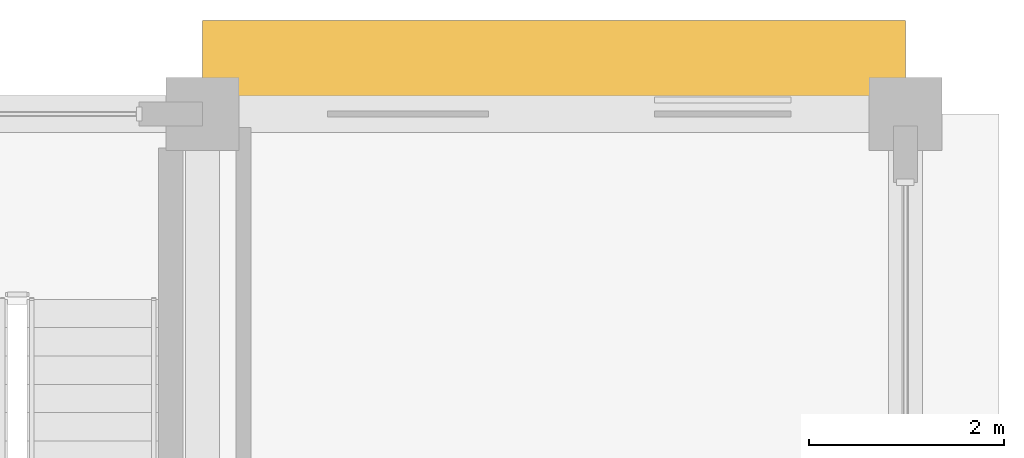
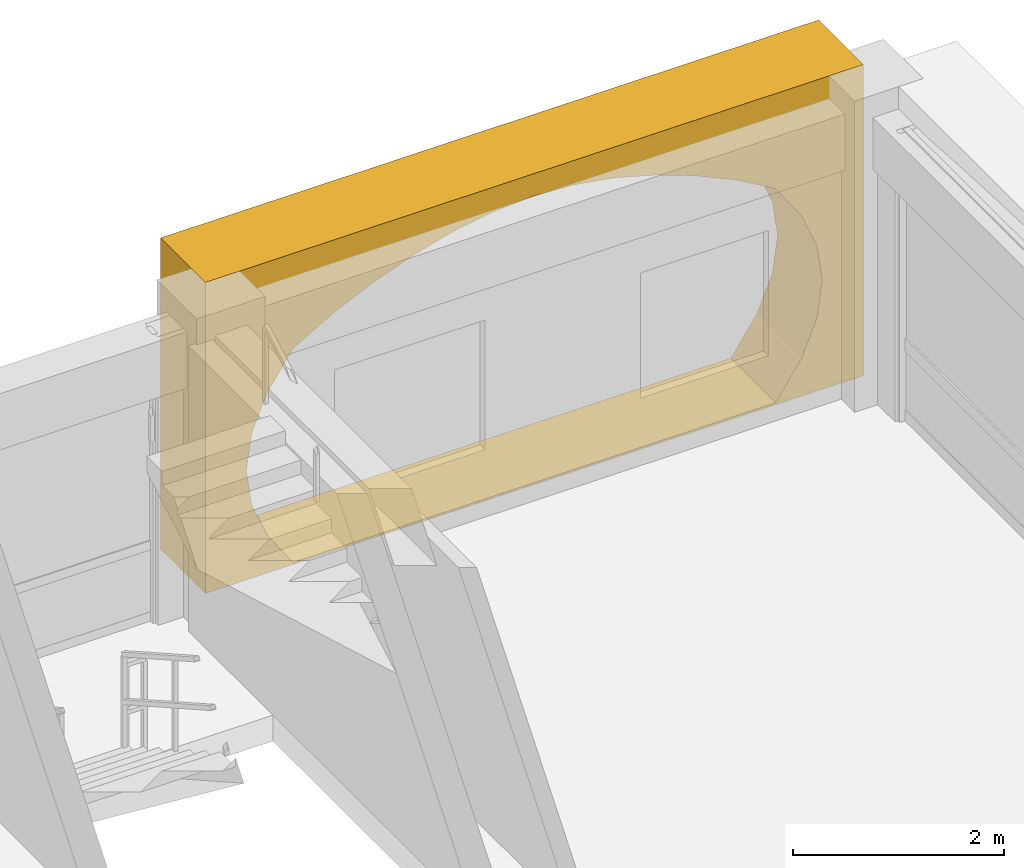
# One storey, part 88 of 88: 1 covering.
"""IFC4 building model written with IfcOpenShell, lengths in metres."""

from ifc_helpers import new_model, si_unit, direction, frame, origin, place, context, subcontext, project, spatial, polyline, outline, extrude, material, layer, layer_set, type_object, element, save


model = new_model("IFC4")

# Units and contexts
model_context = context("Model", 3, precision=1e-05, world=origin(), true_north=direction((0.0, 1.0)))
body_context = subcontext(model_context, "Body", "Model", "MODEL_VIEW")
ifc_project = project(units=[si_unit("LENGTHUNIT", "METRE"), si_unit("AREAUNIT", "SQUARE_METRE"), si_unit("VOLUMEUNIT", "CUBIC_METRE"), si_unit("PLANEANGLEUNIT", "RADIAN"), si_unit("MASSUNIT", "GRAM", prefix="KILO"), si_unit("THERMODYNAMICTEMPERATUREUNIT", "KELVIN")], contexts=[model_context])

# Site, building, storey
site_placement = place(None, origin())
site = spatial("IfcSite", under=ifc_project, at=site_placement, CompositionType="ELEMENT")
building_placement = place(site_placement, origin())
building = spatial("IfcBuilding", under=site, at=building_placement, Name="Thalorik Housing Commons", CompositionType="ELEMENT")
storey_placement = place(building_placement, frame((0.0, 0.0, 4.5)))
storey = spatial("IfcBuildingStorey", under=building, at=storey_placement, Name="L01", CompositionType="ELEMENT", Elevation=4.5)

# Covering
ifc_material = material(Name="Precast concrete C40/50", Category="concrete")
ifc_layer = layer(ifc_material, 0.85009765625, Name="Precast concrete C40/50", Category="concrete")
ifc_layer_set = layer_set([ifc_layer], Name="Precast concrete C40/50")
covering_type = type_object("IfcCoveringType", Name="ARC-CLD-CUSH-850", PredefinedType="CLADDING", material=ifc_layer_set)
covering_placement = place(storey_placement, frame((170.39990234375, 124.132568359375, 0.0), z_axis=(0.0, 0.0, 1.0), x_axis=(-1.0, 0.0, 0.0)))
element("IfcCovering", 1, at=covering_placement, inside=storey, type_object=covering_type, Name="L01 White Precast Curved Cushion Bay Frame 1500", PredefinedType="CLADDING", context=body_context, shape_type="SweptSolid", body=[
    extrude(outline(polyline([(-3.60009765625, 0.0), (3.60009765625, 0.0), (3.60009765625, 3.60009765625), (-3.60009765625, 3.60009765625), (-3.60009765625, 0.0)]), holes=[polyline([(2.639892578125, 0.02490234375), (2.92333984375, 0.4375), (3.09326171875, 0.85009765625), (3.14990234375, 1.262451171875), (3.09326171875, 1.675048828125), (2.92333984375, 2.08740234375), (2.639892578125, 2.5), (2.199951171875, 2.755615234375), (1.760009765625, 2.956298828125), (1.320068359375, 3.119140625), (0.8798828125, 3.239990234375), (0.43994140625, 3.314697265625), (0.0, 3.340087890625), (-0.43994140625, 3.314697265625), (-0.8798828125, 3.239990234375), (-1.320068359375, 3.119140625), (-1.760009765625, 2.956298828125), (-2.199951171875, 2.755615234375), (-2.639892578125, 2.5), (-2.92333984375, 2.08740234375), (-3.09326171875, 1.675048828125), (-3.14990234375, 1.262451171875), (-3.09326171875, 0.85009765625), (-2.92333984375, 0.4375), (-2.639892578125, 0.02490234375), (2.639892578125, 0.02490234375)])]), frame((0.0, 0.425048828125, 0.0), z_axis=(0.0, -1.0, 0.0), x_axis=(1.0, 0.0, 0.0)), (0.0, 0.0, 1.0), 0.85009765625),
])

save(model, "model.ifc")
